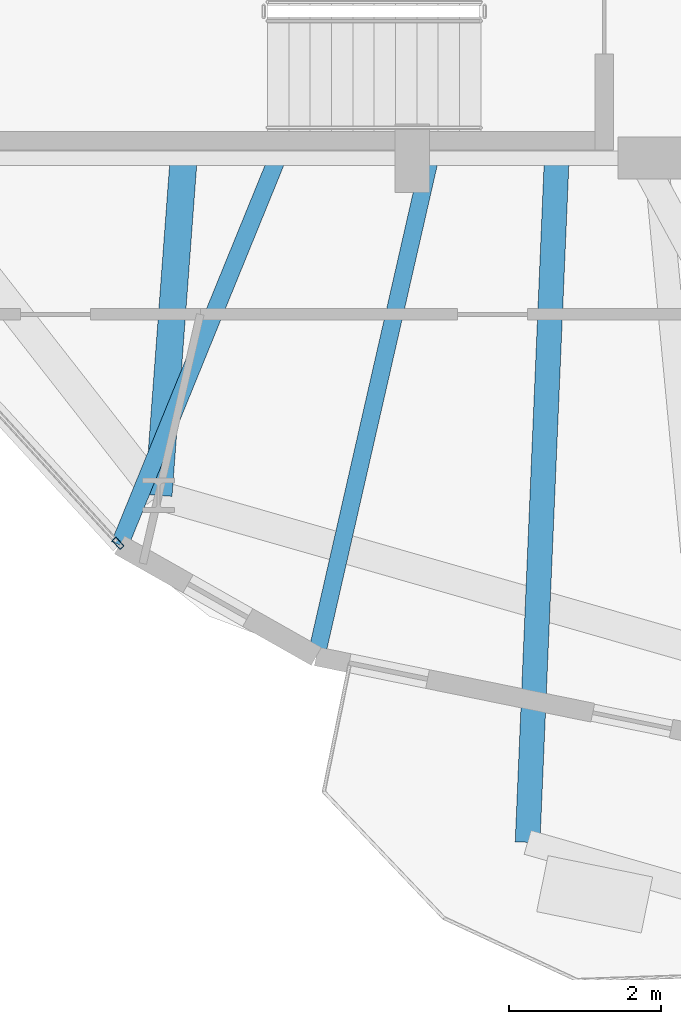
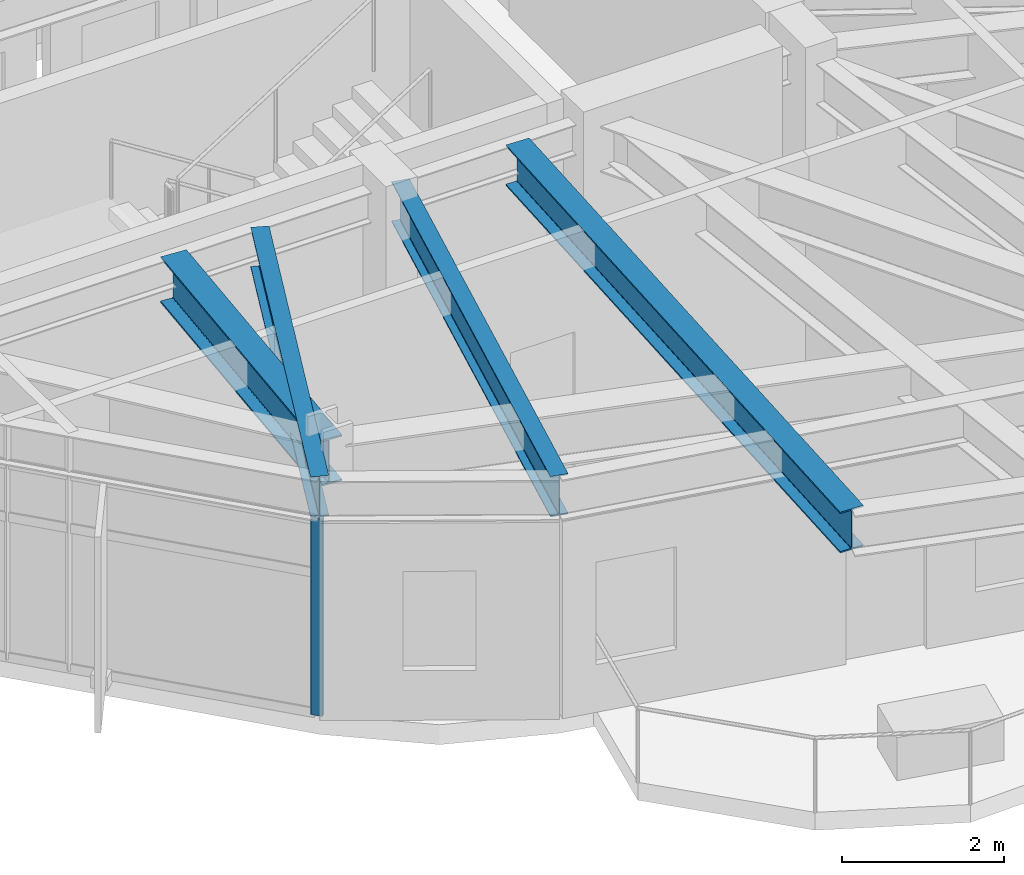
# One storey, part 2 of 23: 4 beams, 1 member, 1 element without a shape of its own.
"""IFC4 building model written with IfcOpenShell, lengths in metres."""

from ifc_helpers import new_model, si_unit, direction, frame, origin, origin_2d, place, context, subcontext, project, spatial, hollow_rectangle, i_section, extrude, material, layer, layer_set, material_profile, profile_set, type_object, element, aggregate, save


model = new_model("IFC4")

# Units and contexts
model_context = context("Model", 3, precision=1e-05, world=origin(), true_north=direction((0.0, 1.0)))
body_context = subcontext(model_context, "Body", "Model", "MODEL_VIEW")
ifc_project = project(units=[si_unit("LENGTHUNIT", "METRE"), si_unit("AREAUNIT", "SQUARE_METRE"), si_unit("VOLUMEUNIT", "CUBIC_METRE"), si_unit("PLANEANGLEUNIT", "RADIAN"), si_unit("MASSUNIT", "GRAM", prefix="KILO")], contexts=[model_context])

# Site, building, storey
site_placement = place(None, origin())
site = spatial("IfcSite", under=ifc_project, at=site_placement, CompositionType="ELEMENT")
building_placement = place(site_placement, origin())
building = spatial("IfcBuilding", under=site, at=building_placement, Name="Soratama Intermodal Tower", CompositionType="ELEMENT")
storey_placement = place(building_placement, frame((0.0, 0.0, 122.5)))
storey = spatial("IfcBuildingStorey", under=building, at=storey_placement, Name="L29", CompositionType="ELEMENT", Elevation=122.5)

# Beams
ifc_material_1 = material(Name="Structural steel ASTM A992 Grade 50", Category="steel")
ifc_material_profile_1 = material_profile(ifc_material_1, i_section(OverallWidth=0.324951171875, OverallDepth=0.615966796875, WebThickness=0.013916015625, FlangeThickness=0.021484375, FilletRadius=0.013916015625, at=origin_2d()), Name="W24X117")
ifc_profile_set_1 = profile_set([ifc_material_profile_1], Name="Structural steel ASTM A992 Grade 50")
beam_type_1 = type_object("IfcBeamType", Name="BM-CANT-W24X117", PredefinedType="BEAM", material=ifc_profile_set_1)
beam_1_placement = place(storey_placement, frame((40.493896484375, 14.9599609375, 3.2919921875), z_axis=(-0.042572675808, -0.999093372651, 0.0), x_axis=(0.999093372651, -0.042572675808, 0.0)))
element("IfcBeam", 1, at=beam_1_placement, inside=storey, type_object=beam_type_1, Name="BM-L29-CANT-3-1", PredefinedType="BEAM", context=body_context, shape_type="SweptSolid", body=[
    extrude(i_section(OverallWidth=0.324951171875, OverallDepth=0.615966796875, WebThickness=0.013916015625, FlangeThickness=0.021484375, FilletRadius=0.013916015625, at=origin_2d()), origin(), (0.0, 0.0, 1.0), 8.946044921875),
])
ifc_material_2 = material(Name="Structural steel ASTM A992 Grade 50", Category="steel")
ifc_material_profile_2 = material_profile(ifc_material_2, i_section(OverallWidth=0.35498046875, OverallDepth=0.695068359375, WebThickness=0.015380859375, FlangeThickness=0.02490234375, FilletRadius=0.01611328125, at=origin_2d()), Name="W27X146")
ifc_profile_set_2 = profile_set([ifc_material_profile_2], Name="Structural steel ASTM A992 Grade 50")
beam_type_2 = type_object("IfcBeamType", Name="BM-RING-W27X146", PredefinedType="BEAM", material=ifc_profile_set_2)
beam_2_placement = place(storey_placement, frame((35.60009765625, 15.0, 3.25244140625), z_axis=(-0.074386442563, -0.997229490721, 0.0), x_axis=(0.997229490721, -0.074386442563, 0.0)))
element("IfcBeam", 2, at=beam_2_placement, inside=storey, type_object=beam_type_2, Name="BM-L29-RAD-07", PredefinedType="BEAM", context=body_context, shape_type="SweptSolid", body=[
    extrude(i_section(OverallWidth=0.35498046875, OverallDepth=0.695068359375, WebThickness=0.015380859375, FlangeThickness=0.02490234375, FilletRadius=0.01611328125, at=origin_2d()), origin(), (0.0, 0.0, 1.0), 4.437255859375),
])
ifc_material_3 = material(Name="Structural steel ASTM A992 Grade 50", Category="steel")
ifc_material_profile_3 = material_profile(ifc_material_3, i_section(OverallWidth=0.22900390625, OverallDepth=0.612060546875, WebThickness=0.011962890625, FlangeThickness=0.01953125, FilletRadius=0.012939453125, at=origin_2d()), Name="W24X84")
ifc_profile_set_3 = profile_set([ifc_material_profile_3], Name="Structural steel ASTM A992 Grade 50")
beam_type_3 = type_object("IfcBeamType", Name="BM-TIE-W24X84", PredefinedType="BEAM", material=ifc_profile_set_3)
beam_3_placement = place(storey_placement, frame((36.81396484375, 14.962890625, 3.2939453125), z_axis=(-0.377624638564, -0.925958763849, 0.0), x_axis=(0.925958763849, -0.377624638564, 0.0)))
element("IfcBeam", 3, at=beam_3_placement, inside=storey, type_object=beam_type_3, Name="BM-L29-TIE1-06", PredefinedType="BEAM", context=body_context, shape_type="SweptSolid", body=[
    extrude(i_section(OverallWidth=0.22900390625, OverallDepth=0.612060546875, WebThickness=0.011962890625, FlangeThickness=0.01953125, FilletRadius=0.012939453125, at=origin_2d()), origin(), (0.0, 0.0, 1.0), 5.441650390625),
])
beam_4_placement = place(storey_placement, frame((38.822998046875, 14.9609375, 3.2939453125), z_axis=(-0.222456836466, -0.974942539799, 0.0), x_axis=(0.974942539799, -0.222456836466, 0.0)))
element("IfcBeam", 4, at=beam_4_placement, inside=storey, type_object=beam_type_3, Name="BM-L29-TIE0-07", PredefinedType="BEAM", context=body_context, shape_type="SweptSolid", body=[
    extrude(i_section(OverallWidth=0.22900390625, OverallDepth=0.612060546875, WebThickness=0.011962890625, FlangeThickness=0.01953125, FilletRadius=0.012939453125, at=origin_2d()), origin(), (0.0, 0.0, 1.0), 6.666015625),
])

# Curtain wall, member
ifc_material_4 = material(Name="Double-glazed aluminium curtain wall", Category="aluminium")
ifc_layer = layer(ifc_material_4, 0.159912109375)
ifc_layer_set = layer_set([ifc_layer], Name="Double-glazed aluminium curtain wall")
curtain_wall_type = type_object("IfcCurtainWallType", Name="CW-SYS-3", PredefinedType="NOTDEFINED", material=ifc_layer_set)
curtain_wall_placement = place(storey_placement, origin())
curtain_wall = element("IfcCurtainWall", 5, at=curtain_wall_placement, inside=storey, type_object=curtain_wall_type, Name="L29 Faceted Curtain Wall F06", PredefinedType="NOTDEFINED")
ifc_material_5 = material(Name="Anodised aluminium AA 6063-T6", Category="aluminium")
ifc_material_profile_4 = material_profile(ifc_material_5, hollow_rectangle(XDim=0.070068359375, YDim=0.159912109375, WallThickness=0.0048828125, InnerFilletRadius=0.0048828125, OuterFilletRadius=0.010009765625, at=origin_2d()), Name="CWM160X70X5")
ifc_profile_set_4 = profile_set([ifc_material_profile_4], Name="Anodised aluminium AA 6063-T6")
member_type = type_object("IfcMemberType", Name="MT-CWM-3", PredefinedType="MULLION", material=ifc_profile_set_4)
member_placement = place(storey_placement, frame((34.738525390625, 9.946044921875, 0.0), z_axis=(0.0, 0.0, 1.0), x_axis=(0.737516021956, 0.675329636073, 0.0)))
member = element("IfcMember", 6, at=member_placement, type_object=member_type, Name="CW-3 mullion 2", PredefinedType="MULLION", context=body_context, shape_type="SweptSolid", body=[
    extrude(hollow_rectangle(XDim=0.070068359375, YDim=0.159912109375, WallThickness=0.0048828125, InnerFilletRadius=0.0048828125, OuterFilletRadius=0.010009765625, at=origin_2d()), origin(), (0.0, 0.0, 1.0), 2.97900390625),
])
aggregate(curtain_wall, [member])

save(model, "model.ifc")
